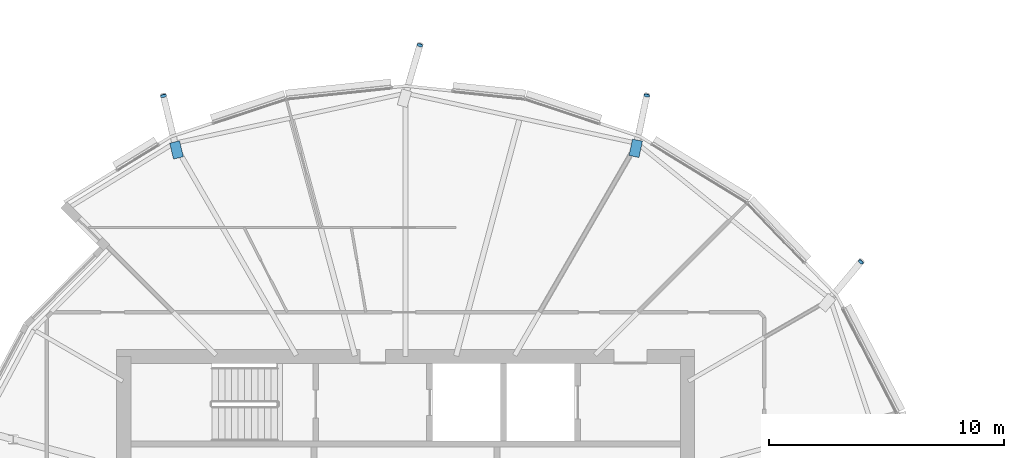
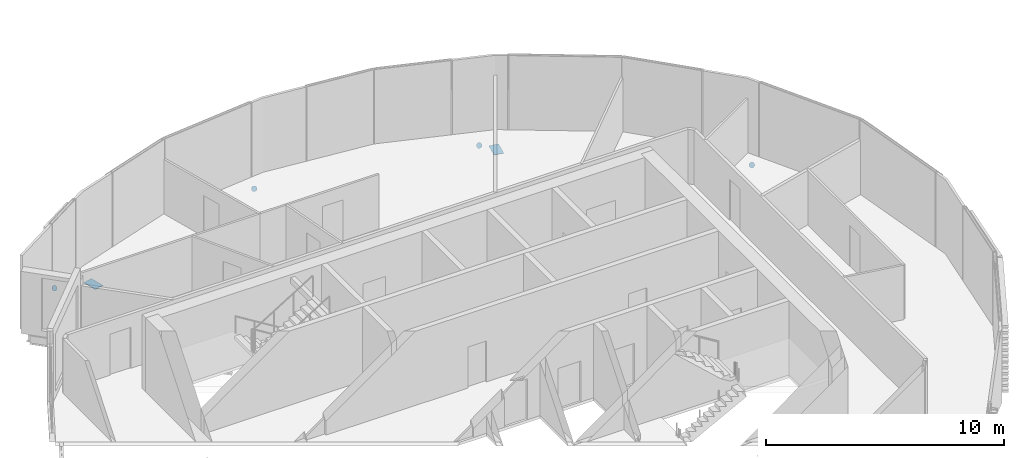
# One storey, part 29 of 38: 6 discrete accessories.
"""IFC4 building model written with IfcOpenShell, lengths in metres."""

from ifc_helpers import new_model, si_unit, direction, frame, origin, origin_2d, place, context, subcontext, project, spatial, polyline, rectangle, circle, outline, extrude, material, material_profile, profile_set, type_object, element, save


model = new_model("IFC4")

# Units and contexts
model_context = context("Model", 3, precision=1e-05, world=origin(), true_north=direction((0.0, 1.0)))
body_context = subcontext(model_context, "Body", "Model", "MODEL_VIEW")
ifc_project = project(units=[si_unit("LENGTHUNIT", "METRE"), si_unit("AREAUNIT", "SQUARE_METRE"), si_unit("VOLUMEUNIT", "CUBIC_METRE"), si_unit("PLANEANGLEUNIT", "RADIAN"), si_unit("MASSUNIT", "GRAM", prefix="KILO")], contexts=[model_context])

# Site, building, storey
site_placement = place(None, origin())
site = spatial("IfcSite", under=ifc_project, at=site_placement, CompositionType="ELEMENT")
building_placement = place(site_placement, origin())
building = spatial("IfcBuilding", under=site, at=building_placement, Name="Rimbun Link Towers", CompositionType="ELEMENT")
storey_placement = place(building_placement, frame((0.0, 0.0, 185.5)))
storey = spatial("IfcBuildingStorey", under=building, at=storey_placement, Name="L45", CompositionType="ELEMENT", Elevation=185.5)

# Discrete accessories
ifc_material_1 = material(Name="Steel S355J2H", Category="steel")
ifc_material_profile_1 = material_profile(ifc_material_1, circle(Radius=0.1240234375, at=origin_2d()), Name="PL D248")
ifc_profile_set_1 = profile_set([ifc_material_profile_1], Name="Steel S355J2H")
discrete_accessory_type_1 = type_object("IfcDiscreteAccessoryType", Name="Link foot sealing plate D248X20", PredefinedType="BRACKET", material=ifc_profile_set_1)
discrete_accessory_1_placement = place(storey_placement, frame((-12.3681640625, 12.029296875, -1.9033203125), z_axis=(0.546106853226, 0.655328223871, -0.521835437527), x_axis=(-0.768221279597, 0.640184399664, 0.0)))
element("IfcDiscreteAccessory", 1, at=discrete_accessory_1_placement, inside=storey, type_object=discrete_accessory_type_1, Name="Link foot sealing plate T1 L45 02", PredefinedType="BRACKET", context=body_context, shape_type="SweptSolid", body=[
    extrude(circle(Radius=0.1240234375, at=origin_2d()), origin(), (0.0, 0.0, 1.0), 0.02001953125),
])
discrete_accessory_2_placement = place(storey_placement, frame((-21.479248046875, 19.1123046875, -2.0087890625), z_axis=(0.184833375936, 0.850233529307, -0.492889002497), x_axis=(-0.977176363923, 0.212429644331, 0.0)))
element("IfcDiscreteAccessory", 2, at=discrete_accessory_2_placement, inside=storey, type_object=discrete_accessory_type_1, Name="Link foot sealing plate T1 L45 04", PredefinedType="BRACKET", context=body_context, shape_type="SweptSolid", body=[
    extrude(circle(Radius=0.1240234375, at=origin_2d()), origin(), (0.0, 0.0, 1.0), 0.019775390625),
])
for number, where, z_axis, x_axis, name in (
    (3, (-31.14208984375, 21.254150390625, -2.1396484375), (0.242749910714, 0.825349696426, -0.509774812498), (-0.959365501571, 0.282166323992, 0.0), "Link foot sealing plate T1 L45 06"),
    (4, (-42.05712890625, 19.095703125, -2.097900390625), (-0.208045455339, 0.832181821356, -0.513994654367), (-0.970142500145, -0.242535625036, 0.0), "Link foot sealing plate T1 L45 08"),
):
    element("IfcDiscreteAccessory", number, at=place(storey_placement, frame(where, z_axis=z_axis, x_axis=x_axis)), inside=storey, type_object=discrete_accessory_type_1, Name=name, PredefinedType="BRACKET", context=body_context, shape_type="SweptSolid", body=[
        extrude(circle(Radius=0.1240234375, at=origin_2d()), origin(), (0.0, 0.0, 1.0), 0.02001953125),
    ])
ifc_material_2 = material(Name="Steel S355J2H", Category="steel")
ifc_material_profile_2 = material_profile(ifc_material_2, rectangle(XDim=0.43310546875, YDim=0.43310546875, at=origin_2d()), Name="PL 433x433")
ifc_profile_set_2 = profile_set([ifc_material_profile_2], Name="Steel S355J2H")
discrete_accessory_type_2 = type_object("IfcDiscreteAccessoryType", Name="Link head end plate 433X20", PredefinedType="BRACKET", material=ifc_profile_set_2)
discrete_accessory_3_placement = place(storey_placement, frame((0.0, 0.0, -0.703125)))
element("IfcDiscreteAccessory", 5, at=discrete_accessory_3_placement, inside=storey, type_object=discrete_accessory_type_2, Name="Link head end plate T1 L45 04", PredefinedType="BRACKET", context=body_context, shape_type="SweptSolid", body=[
    extrude(outline(polyline([(-21.809814453125, 16.475830078125), (-21.6640625, 17.17236328125), (-22.087890625, 17.26123046875), (-22.233642578125, 16.564697265625), (-21.809814453125, 16.475830078125)])), origin(), (0.0, 0.0, 1.0), 0.02001953125),
])
discrete_accessory_4_placement = place(storey_placement, frame((0.0, 0.0, -0.703125)))
element("IfcDiscreteAccessory", 6, at=discrete_accessory_4_placement, inside=storey, type_object=discrete_accessory_type_2, Name="Link head end plate T1 L45 08", PredefinedType="BRACKET", context=body_context, shape_type="SweptSolid", body=[
    extrude(outline(polyline([(-41.210693359375, 16.511474609375), (-41.374267578125, 17.18896484375), (-41.795166015625, 17.08740234375), (-41.631591796875, 16.409912109375), (-41.210693359375, 16.511474609375)])), origin(), (0.0, 0.0, 1.0), 0.02001953125),
])

save(model, "model.ifc")
